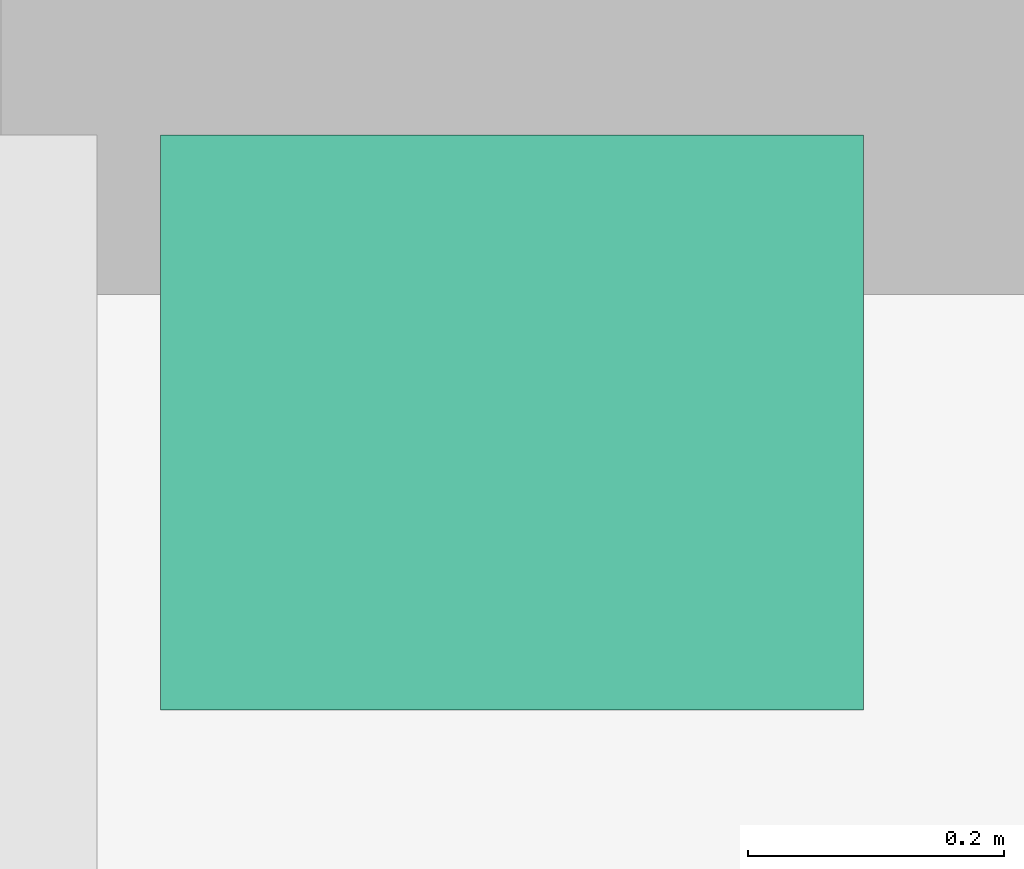
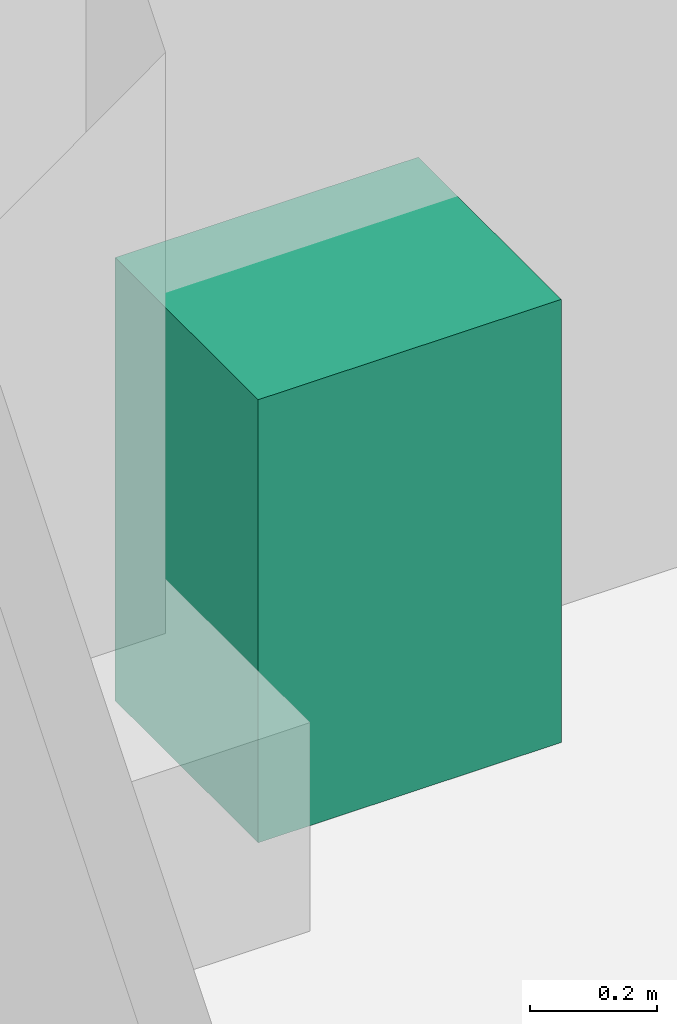
# One storey, part 144 of 146: 1 sanitary terminal.
"""IFC4 building model written with IfcOpenShell, lengths in metres."""

from ifc_helpers import new_model, si_unit, direction, frame, origin, origin_2d, place, context, subcontext, project, spatial, rectangle, extrude, material, type_object, element, save


model = new_model("IFC4")

# Units and contexts
model_context = context("Model", 3, precision=1e-05, world=origin(), true_north=direction((0.0, 1.0)))
body_context = subcontext(model_context, "Body", "Model", "MODEL_VIEW")
ifc_project = project(units=[si_unit("LENGTHUNIT", "METRE"), si_unit("AREAUNIT", "SQUARE_METRE"), si_unit("VOLUMEUNIT", "CUBIC_METRE"), si_unit("PLANEANGLEUNIT", "RADIAN"), si_unit("MASSUNIT", "GRAM", prefix="KILO")], contexts=[model_context])

# Site, building, storey
site_placement = place(None, origin())
site = spatial("IfcSite", under=ifc_project, at=site_placement, CompositionType="ELEMENT")
building_placement = place(site_placement, origin())
building = spatial("IfcBuilding", under=site, at=building_placement, Name="Bougainvillea Quay General Hospital", CompositionType="ELEMENT")
storey_placement = place(building_placement, origin())
storey = spatial("IfcBuildingStorey", under=building, at=storey_placement, Name="L00", CompositionType="ELEMENT", Elevation=0.0)

# Sanitary terminal
ifc_material = material(Name="Vitreous china")
sanitary_terminal_type = type_object("IfcSanitaryTerminalType", Name="Wash hand basin 550x450", PredefinedType="WASHHANDBASIN", material=ifc_material)
sanitary_terminal_placement = place(storey_placement, frame((185.625, 117.324951171875, 0.0), z_axis=(0.0, 0.0, 1.0), x_axis=(1.0, 0.0, 0.0)))
element("IfcSanitaryTerminal", 1, at=sanitary_terminal_placement, inside=storey, type_object=sanitary_terminal_type, Name="Wash hand basin", PredefinedType="WASHHANDBASIN", context=body_context, shape_type="SweptSolid", body=[
    extrude(rectangle(XDim=0.550048828125, YDim=0.449951171875, at=origin_2d()), origin(), (0.0, 0.0, 1.0), 0.85009765625),
])

save(model, "model.ifc")
